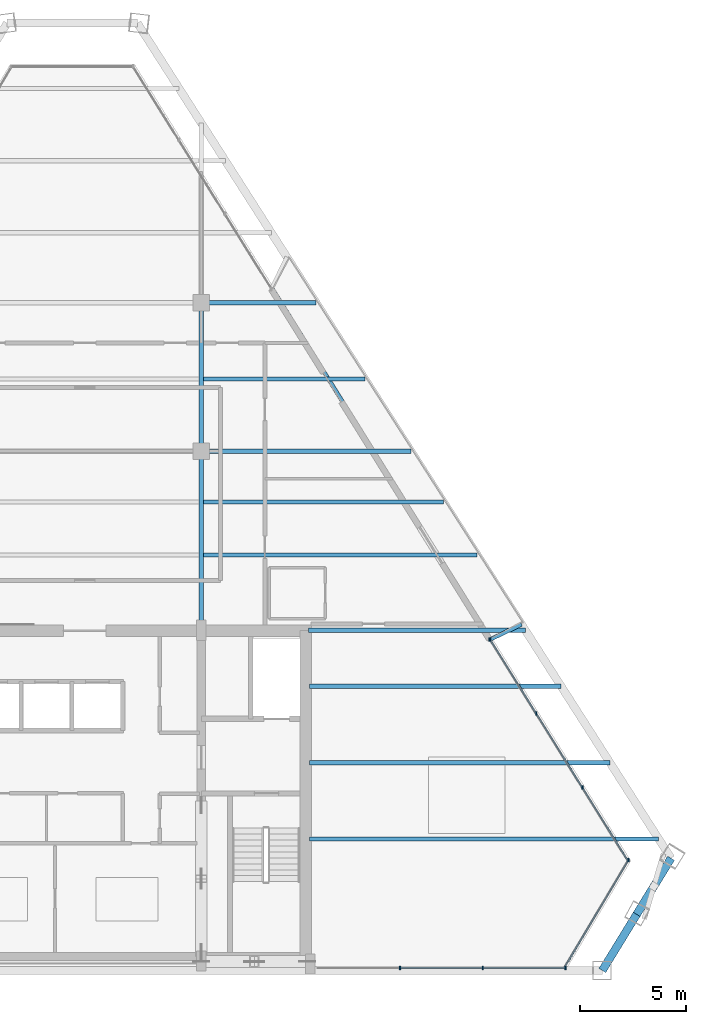
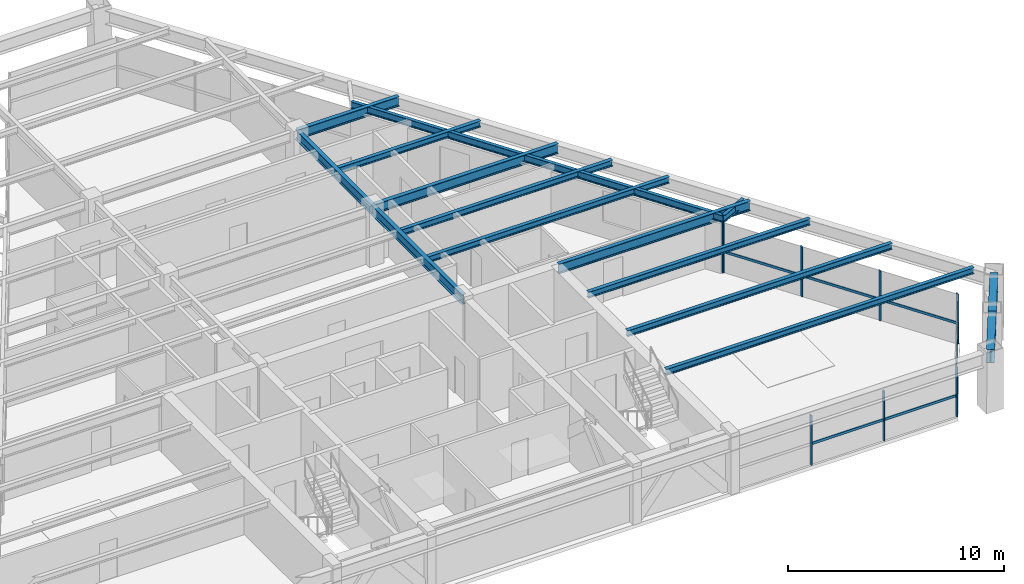
# One storey, part 4 of 12: 15 beams, 14 members, 3 elements without a shape of their own.
"""IFC4 building model written with IfcOpenShell, lengths in metres."""

from ifc_helpers import new_model, si_unit, direction, frame, origin, origin_2d, place, context, subcontext, project, spatial, rectangle, i_section, extrude, source, transform, mapped, material, material_profile, profile_set, type_object, type_shapes, element, aggregate, save


model = new_model("IFC4")

# Units and contexts
model_context = context("Model", 3, precision=1e-05, world=origin(), true_north=direction((0.0, 1.0)))
body_context = subcontext(model_context, "Body", "Model", "MODEL_VIEW")
ifc_project = project(units=[si_unit("LENGTHUNIT", "METRE"), si_unit("AREAUNIT", "SQUARE_METRE"), si_unit("VOLUMEUNIT", "CUBIC_METRE"), si_unit("PLANEANGLEUNIT", "RADIAN"), si_unit("MASSUNIT", "GRAM", prefix="KILO")], contexts=[model_context])

# Site, building, storey
site_placement = place(None, origin())
site = spatial("IfcSite", under=ifc_project, at=site_placement, CompositionType="ELEMENT")
building_placement = place(site_placement, origin())
building = spatial("IfcBuilding", under=site, at=building_placement, Name="Varnakhor Terracotta Tower", CompositionType="ELEMENT")
storey_placement = place(building_placement, frame((0.0, 0.0, 226.89990234375)))
storey = spatial("IfcBuildingStorey", under=building, at=storey_placement, Name="L58", CompositionType="ELEMENT", Elevation=226.89990234375)

# Beams
ifc_material_1 = material(Name="Steel S355", Category="steel")
ifc_material_profile_1 = material_profile(ifc_material_1, i_section(OverallWidth=0.214111328125, OverallDepth=0.549072265625, WebThickness=0.014892578125, FlangeThickness=0.02392578125, FilletRadius=0.01806640625, at=origin_2d()), Name="W21X93")
ifc_profile_set_1 = profile_set([ifc_material_profile_1], Name="Steel S355")
beam_type_1 = type_object("IfcBeamType", Name="BM-W21X93", PredefinedType="BEAM", material=ifc_profile_set_1)
shared_shape_1 = source(origin(), body_context, "Body", "SweptSolid", [
    extrude(i_section(OverallWidth=0.214111328125, OverallDepth=0.549072265625, WebThickness=0.014892578125, FlangeThickness=0.02392578125, FilletRadius=0.01806640625, at=origin_2d()), origin(), (0.0, 0.0, 1.0), 8.449951171875),
])
type_shapes(beam_type_1, [shared_shape_1])
beam_1_placement = place(storey_placement, frame((5.5, 16.050048828125, 2.965576171875), z_axis=(0.0, 1.0, 0.0), x_axis=(-1.0, 0.0, 0.0)))
element("IfcBeam", 1, at=beam_1_placement, inside=storey, type_object=beam_type_1, Name="L58 Primary Girder NS1-E", PredefinedType="BEAM", context=body_context, shape_type="MappedRepresentation", body=[
    mapped(shared_shape_1, transform((0.0, 0.0, 0.0), scale=1.0)),
])
shared_shape_2 = source(origin(), body_context, "Body", "SweptSolid", [
    extrude(i_section(OverallWidth=0.214111328125, OverallDepth=0.549072265625, WebThickness=0.014892578125, FlangeThickness=0.02392578125, FilletRadius=0.01806640625, at=origin_2d()), origin(), (0.0, 0.0, 1.0), 7.0),
])
beam_2_placement = place(storey_placement, frame((5.5, 24.5, 2.965576171875), z_axis=(0.0, 1.0, 0.0), x_axis=(-1.0, 0.0, 0.0)))
element("IfcBeam", 2, at=beam_2_placement, inside=storey, type_object=beam_type_1, Name="L58 Primary Girder NS2-E", PredefinedType="BEAM", context=body_context, shape_type="MappedRepresentation", body=[
    mapped(shared_shape_2, transform((0.0, 0.0, 0.0), scale=1.0)),
])
ifc_material_profile_2 = material_profile(ifc_material_1, i_section(OverallWidth=0.381103515625, OverallDepth=0.77294921875, WebThickness=0.01708984375, FlangeThickness=0.027099609375, FilletRadius=0.01806640625, at=origin_2d()), Name="W30X173")
ifc_profile_set_2 = profile_set([ifc_material_profile_2], Name="Steel S355")
beam_type_2 = type_object("IfcBeamType", Name="BM-W30X173", PredefinedType="BEAM", material=ifc_profile_set_2)
shared_shape_3 = source(origin(), body_context, "Body", "SweptSolid", [
    extrude(i_section(OverallWidth=0.381103515625, OverallDepth=0.77294921875, WebThickness=0.01708984375, FlangeThickness=0.027099609375, FilletRadius=0.01806640625, at=origin_2d()), origin(), (0.0, 0.0, 1.0), 3.102783203125),
])
for number, where, z_axis, x_axis, name in (
    (3, (24.417236328125, 0.0, 2.853515625), (0.52253807171, 0.852615953178, 0.0), (-0.852615953178, 0.52253807171, 0.0), "L58 Perimeter Spandrel 2"),
    (4, (26.03857421875, 2.6455078125, 2.853515625), (0.522480868797, 0.852651008175, 0.0), (-0.852651008175, 0.522480868797, 0.0), "L58 Perimeter Spandrel 3"),
):
    element("IfcBeam", number, at=place(storey_placement, frame(where, z_axis=z_axis, x_axis=x_axis)), inside=storey, type_object=beam_type_2, Name=name, PredefinedType="BEAM", context=body_context, shape_type="MappedRepresentation", body=[
        mapped(shared_shape_3, transform((0.0, 0.0, 0.0), scale=1.0)),
    ])
ifc_material_profile_3 = material_profile(ifc_material_1, i_section(OverallWidth=0.179931640625, OverallDepth=0.39990234375, WebThickness=0.008544921875, FlangeThickness=0.013427734375, FilletRadius=0.01806640625, at=origin_2d()), Name="IPE400")
ifc_profile_set_3 = profile_set([ifc_material_profile_3], Name="Steel S355")
beam_type_3 = type_object("IfcBeamType", Name="JST-IPE400", PredefinedType="JOIST", material=ifc_profile_set_3)
shared_shape_4 = source(origin(), body_context, "Body", "SweptSolid", [
    extrude(i_section(OverallWidth=0.179931640625, OverallDepth=0.39990234375, WebThickness=0.008544921875, FlangeThickness=0.013427734375, FilletRadius=0.01806640625, at=origin_2d()), origin(), (0.0, 0.0, 1.0), 19.52685546875),
])
beam_3_placement = place(storey_placement, frame((19.134521484375, 15.614990234375, 3.0400390625), z_axis=(-0.527896829345, 0.849308505531, 0.0), x_axis=(-0.849308505531, -0.527896829345, 0.0)))
element("IfcBeam", 5, at=beam_3_placement, inside=storey, type_object=beam_type_3, Name="L58 Loggia Edge Beam 1", PredefinedType="JOIST", context=body_context, shape_type="MappedRepresentation", body=[
    mapped(shared_shape_4, transform((0.0, 0.0, 0.0), scale=1.0)),
])
shared_shape_5 = source(origin(), body_context, "Body", "SweptSolid", [
    extrude(i_section(OverallWidth=0.214111328125, OverallDepth=0.549072265625, WebThickness=0.014892578125, FlangeThickness=0.02392578125, FilletRadius=0.01806640625, at=origin_2d()), origin(), (0.0, 0.0, 1.0), 10.23486328125),
])
beam_4_placement = place(storey_placement, frame((10.550048828125, 16.050048828125, 2.965576171875), z_axis=(1.0, 0.0, 0.0), x_axis=(0.0, 1.0, 0.0)))
element("IfcBeam", 6, at=beam_4_placement, inside=storey, type_object=beam_type_1, Name="L58 Wing Girder E", PredefinedType="BEAM", context=body_context, shape_type="MappedRepresentation", body=[
    mapped(shared_shape_5, transform((0.0, 0.0, 0.0), scale=1.0)),
])
shared_shape_6 = source(origin(), body_context, "Body", "SweptSolid", [
    extrude(i_section(OverallWidth=0.214111328125, OverallDepth=0.549072265625, WebThickness=0.014892578125, FlangeThickness=0.02392578125, FilletRadius=0.01806640625, at=origin_2d()), origin(), (0.0, 0.0, 1.0), 9.88525390625),
])
beam_5_placement = place(storey_placement, frame((5.5, 24.5, 2.965576171875), z_axis=(1.0, 0.0, 0.0), x_axis=(0.0, 1.0, 0.0)))
element("IfcBeam", 7, at=beam_5_placement, inside=storey, type_object=beam_type_1, Name="L58 Primary Girder EW2-3", PredefinedType="BEAM", context=body_context, shape_type="MappedRepresentation", body=[
    mapped(shared_shape_6, transform((0.0, 0.0, 0.0), scale=1.0)),
])
shared_shape_7 = source(origin(), body_context, "Body", "SweptSolid", [
    extrude(i_section(OverallWidth=0.214111328125, OverallDepth=0.549072265625, WebThickness=0.014892578125, FlangeThickness=0.02392578125, FilletRadius=0.01806640625, at=origin_2d()), origin(), (0.0, 0.0, 1.0), 5.412353515625),
])
beam_6_placement = place(storey_placement, frame((5.5, 31.5, 2.965576171875), z_axis=(1.0, 0.0, 0.0), x_axis=(0.0, 1.0, 0.0)))
element("IfcBeam", 8, at=beam_6_placement, inside=storey, type_object=beam_type_1, Name="L58 Primary Girder EW3-3", PredefinedType="BEAM", context=body_context, shape_type="MappedRepresentation", body=[
    mapped(shared_shape_7, transform((0.0, 0.0, 0.0), scale=1.0)),
])
ifc_material_profile_4 = material_profile(ifc_material_1, i_section(OverallWidth=0.202880859375, OverallDepth=0.346923828125, WebThickness=0.0078125, FlangeThickness=0.013427734375, FilletRadius=0.01806640625, at=origin_2d()), Name="W14X43")
ifc_profile_set_4 = profile_set([ifc_material_profile_4], Name="Steel S355")
beam_type_4 = type_object("IfcBeamType", Name="JST-W14X43", PredefinedType="JOIST", material=ifc_profile_set_4)
shared_shape_8 = source(origin(), body_context, "Body", "SweptSolid", [
    extrude(i_section(OverallWidth=0.202880859375, OverallDepth=0.346923828125, WebThickness=0.0078125, FlangeThickness=0.013427734375, FilletRadius=0.01806640625, at=origin_2d()), origin(), (0.0, 0.0, 1.0), 16.478759765625),
])
beam_7_placement = place(storey_placement, frame((10.60009765625, 6.199951171875, 3.066650390625), z_axis=(1.0, 0.0, 0.0), x_axis=(0.0, 1.0, 0.0)))
element("IfcBeam", 9, at=beam_7_placement, inside=storey, type_object=beam_type_4, Name="L58 Floor Joist E1", PredefinedType="JOIST", context=body_context, shape_type="MappedRepresentation", body=[
    mapped(shared_shape_8, transform((0.0, 0.0, 0.0), scale=1.0)),
])
shared_shape_9 = source(origin(), body_context, "Body", "SweptSolid", [
    extrude(i_section(OverallWidth=0.202880859375, OverallDepth=0.346923828125, WebThickness=0.0078125, FlangeThickness=0.013427734375, FilletRadius=0.01806640625, at=origin_2d()), origin(), (0.0, 0.0, 1.0), 14.178466796875),
])
beam_8_placement = place(storey_placement, frame((10.60009765625, 9.800048828125, 3.066650390625), z_axis=(1.0, 0.0, 0.0), x_axis=(0.0, 1.0, 0.0)))
element("IfcBeam", 10, at=beam_8_placement, inside=storey, type_object=beam_type_4, Name="L58 Floor Joist E2", PredefinedType="JOIST", context=body_context, shape_type="MappedRepresentation", body=[
    mapped(shared_shape_9, transform((0.0, 0.0, 0.0), scale=1.0)),
])
shared_shape_10 = source(origin(), body_context, "Body", "SweptSolid", [
    extrude(i_section(OverallWidth=0.202880859375, OverallDepth=0.346923828125, WebThickness=0.0078125, FlangeThickness=0.013427734375, FilletRadius=0.01806640625, at=origin_2d()), origin(), (0.0, 0.0, 1.0), 11.8779296875),
])
beam_9_placement = place(storey_placement, frame((10.60009765625, 13.39990234375, 3.066650390625), z_axis=(1.0, 0.0, 0.0), x_axis=(0.0, 1.0, 0.0)))
element("IfcBeam", 11, at=beam_9_placement, inside=storey, type_object=beam_type_4, Name="L58 Floor Joist E3", PredefinedType="JOIST", context=body_context, shape_type="MappedRepresentation", body=[
    mapped(shared_shape_10, transform((0.0, 0.0, 0.0), scale=1.0)),
])
shared_shape_11 = source(origin(), body_context, "Body", "SweptSolid", [
    extrude(i_section(OverallWidth=0.202880859375, OverallDepth=0.346923828125, WebThickness=0.0078125, FlangeThickness=0.013427734375, FilletRadius=0.01806640625, at=origin_2d()), origin(), (0.0, 0.0, 1.0), 12.913330078125),
])
beam_10_placement = place(storey_placement, frame((5.60302734375, 19.60009765625, 3.066650390625), z_axis=(1.0, 0.0, 0.0), x_axis=(0.0, 1.0, 0.0)))
element("IfcBeam", 12, at=beam_10_placement, inside=storey, type_object=beam_type_4, Name="L58 Composite Floor Joist 4-3", PredefinedType="JOIST", context=body_context, shape_type="MappedRepresentation", body=[
    mapped(shared_shape_11, transform((0.0, 0.0, 0.0), scale=1.0)),
])
shared_shape_12 = source(origin(), body_context, "Body", "SweptSolid", [
    extrude(i_section(OverallWidth=0.202880859375, OverallDepth=0.346923828125, WebThickness=0.0078125, FlangeThickness=0.013427734375, FilletRadius=0.01806640625, at=origin_2d()), origin(), (0.0, 0.0, 1.0), 11.31591796875),
])
beam_11_placement = place(storey_placement, frame((5.60302734375, 22.10009765625, 3.066650390625), z_axis=(1.0, 0.0, 0.0), x_axis=(0.0, 1.0, 0.0)))
element("IfcBeam", 13, at=beam_11_placement, inside=storey, type_object=beam_type_4, Name="L58 Composite Floor Joist 5-3", PredefinedType="JOIST", context=body_context, shape_type="MappedRepresentation", body=[
    mapped(shared_shape_12, transform((0.0, 0.0, 0.0), scale=1.0)),
])
shared_shape_13 = source(origin(), body_context, "Body", "SweptSolid", [
    extrude(i_section(OverallWidth=0.202880859375, OverallDepth=0.346923828125, WebThickness=0.0078125, FlangeThickness=0.013427734375, FilletRadius=0.01806640625, at=origin_2d()), origin(), (0.0, 0.0, 1.0), 7.60986328125),
])
beam_12_placement = place(storey_placement, frame((5.60302734375, 27.89990234375, 3.066650390625), z_axis=(1.0, 0.0, 0.0), x_axis=(0.0, 1.0, 0.0)))
element("IfcBeam", 14, at=beam_12_placement, inside=storey, type_object=beam_type_4, Name="L58 Composite Floor Joist 6-3", PredefinedType="JOIST", context=body_context, shape_type="MappedRepresentation", body=[
    mapped(shared_shape_13, transform((0.0, 0.0, 0.0), scale=1.0)),
])
shared_shape_14 = source(origin(), body_context, "Body", "SweptSolid", [
    extrude(i_section(OverallWidth=0.179931640625, OverallDepth=0.39990234375, WebThickness=0.008544921875, FlangeThickness=0.013427734375, FilletRadius=0.01806640625, at=origin_2d()), origin(), (0.0, 0.0, 1.0), 1.636962890625),
])
beam_13_placement = place(storey_placement, frame((19.134521484375, 15.614990234375, 3.0400390625), z_axis=(0.90170218124, 0.432357694908, 0.0), x_axis=(-0.432357694908, 0.90170218124, 0.0)))
element("IfcBeam", 15, at=beam_13_placement, inside=storey, type_object=beam_type_3, Name="L59 E Loggia Tie Beam 2", PredefinedType="JOIST", context=body_context, shape_type="MappedRepresentation", body=[
    mapped(shared_shape_14, transform((0.0, 0.0, 0.0), scale=1.0)),
])

# Curtain wall, members
ifc_material_2 = material(Name="Anodised Aluminium Curtain Wall System", Category="aluminium")
curtain_wall_type = type_object("IfcCurtainWallType", Name="CW-SYS-HOTEL-LOGGIA", PredefinedType="NOTDEFINED", material=ifc_material_2)
curtain_wall_1_placement = place(storey_placement, origin())
curtain_wall_1 = element("IfcCurtainWall", 16, at=curtain_wall_1_placement, inside=storey, type_object=curtain_wall_type, Name="L58 E Facet Curtain Wall 2", PredefinedType="NOTDEFINED")
ifc_material_3 = material(Name="Anodised Aluminium 6063-T6", Category="aluminium")
ifc_material_profile_5 = material_profile(ifc_material_3, rectangle(XDim=0.06494140625, YDim=0.159912109375, at=origin_2d()), Name="ALU MULLION 65x160")
ifc_profile_set_5 = profile_set([ifc_material_profile_5], Name="Anodised Aluminium 6063-T6")
member_type_1 = type_object("IfcMemberType", Name="CWM-04", PredefinedType="MULLION", material=ifc_profile_set_5)
shared_shape_15 = source(origin(), body_context, "Body", "SweptSolid", [
    extrude(rectangle(XDim=0.06494140625, YDim=0.159912109375, at=origin_2d()), origin(), (0.0, 0.0, 1.0), 2.820068359375),
])
type_shapes(member_type_1, [shared_shape_15])
member_1_placement = place(storey_placement, frame((19.128173828125, 15.603759765625, 0.0), z_axis=(0.0, 0.0, 1.0), x_axis=(1.0, 0.0, 0.0)))
member_1 = element("IfcMember", 17, at=member_1_placement, type_object=member_type_1, Name="L58 E Facet Curtain Wall 2 Mullion 1", PredefinedType="MULLION", context=body_context, shape_type="MappedRepresentation", body=[
    mapped(shared_shape_15, transform((0.0, 0.0, 0.0), scale=1.0)),
])
member_2_placement = place(storey_placement, frame((21.302734375, 12.11376953125, 0.0), z_axis=(0.0, 0.0, 1.0), x_axis=(1.0, 0.0, 0.0)))
member_2 = element("IfcMember", 18, at=member_2_placement, type_object=member_type_1, Name="L58 E Facet Curtain Wall 2 Mullion 2", PredefinedType="MULLION", context=body_context, shape_type="MappedRepresentation", body=[
    mapped(shared_shape_15, transform((0.0, 0.0, 0.0), scale=1.0)),
])
member_3_placement = place(storey_placement, frame((23.477294921875, 8.623779296875, 0.0), z_axis=(0.0, 0.0, 1.0), x_axis=(1.0, 0.0, 0.0)))
member_3 = element("IfcMember", 19, at=member_3_placement, type_object=member_type_1, Name="L58 E Facet Curtain Wall 2 Mullion 3", PredefinedType="MULLION", context=body_context, shape_type="MappedRepresentation", body=[
    mapped(shared_shape_15, transform((0.0, 0.0, 0.0), scale=1.0)),
])
member_4_placement = place(storey_placement, frame((19.09521484375, 15.61865234375, 0.0), z_axis=(0.0, 0.0, 1.0), x_axis=(1.0, 0.0, 0.0)))
member_4 = element("IfcMember", 20, at=member_4_placement, type_object=member_type_1, Name="L58 E Loggia Jamb Closure Mullion 2", PredefinedType="MULLION", context=body_context, shape_type="MappedRepresentation", body=[
    mapped(shared_shape_15, transform((0.0, 0.0, 0.0), scale=1.0)),
])

# Curtain wall, member
curtain_wall_2_placement = place(storey_placement, origin())
curtain_wall_2 = element("IfcCurtainWall", 21, at=curtain_wall_2_placement, inside=storey, type_object=curtain_wall_type, Name="L58 Facet Curtain Wall 4", PredefinedType="NOTDEFINED")
member_5_placement = place(storey_placement, frame((25.6513671875, 5.20751953125, 0.0), z_axis=(0.0, 0.0, 1.0), x_axis=(1.0, 0.0, 0.0)))
member_5 = element("IfcMember", 22, at=member_5_placement, type_object=member_type_1, Name="L58 Facet Curtain Wall 4 Mullion 1", PredefinedType="MULLION", context=body_context, shape_type="MappedRepresentation", body=[
    mapped(shared_shape_15, transform((0.0, 0.0, 0.0), scale=1.0)),
])

# Curtain wall, members
curtain_wall_3_placement = place(storey_placement, origin())
curtain_wall_3 = element("IfcCurtainWall", 23, at=curtain_wall_3_placement, inside=storey, type_object=curtain_wall_type, Name="L58 South Wing Curtain Wall SSE", PredefinedType="NOTDEFINED")
member_6_placement = place(storey_placement, frame((22.677490234375, 0.1201171875, 0.0), z_axis=(0.0, 0.0, 1.0), x_axis=(1.0, 0.0, 0.0)))
member_6 = element("IfcMember", 24, at=member_6_placement, type_object=member_type_1, Name="L58 South Wing Curtain Wall SSE Mullion 1", PredefinedType="MULLION", context=body_context, shape_type="MappedRepresentation", body=[
    mapped(shared_shape_15, transform((0.0, 0.0, 0.0), scale=1.0)),
])
member_7_placement = place(storey_placement, frame((18.77490234375, 0.1201171875, 0.0), z_axis=(0.0, 0.0, 1.0), x_axis=(1.0, 0.0, 0.0)))
member_7 = element("IfcMember", 25, at=member_7_placement, type_object=member_type_1, Name="L58 South Wing Curtain Wall SSE Mullion 2", PredefinedType="MULLION", context=body_context, shape_type="MappedRepresentation", body=[
    mapped(shared_shape_15, transform((0.0, 0.0, 0.0), scale=1.0)),
])
member_8_placement = place(storey_placement, frame((14.87255859375, 0.1201171875, 0.0), z_axis=(0.0, 0.0, 1.0), x_axis=(1.0, 0.0, 0.0)))
member_8 = element("IfcMember", 26, at=member_8_placement, type_object=member_type_1, Name="L58 South Wing Curtain Wall SSE Mullion 3", PredefinedType="MULLION", context=body_context, shape_type="MappedRepresentation", body=[
    mapped(shared_shape_15, transform((0.0, 0.0, 0.0), scale=1.0)),
])
ifc_material_profile_6 = material_profile(ifc_material_3, rectangle(XDim=0.06494140625, YDim=0.14501953125, at=origin_2d()), Name="ALU TRANSOM 65x145")
ifc_profile_set_6 = profile_set([ifc_material_profile_6], Name="Anodised Aluminium 6063-T6")
member_type_2 = type_object("IfcMemberType", Name="CWT-04", PredefinedType="USERDEFINED", material=ifc_profile_set_6)
shared_shape_16 = source(origin(), body_context, "Body", "SweptSolid", [
    extrude(rectangle(XDim=0.06494140625, YDim=0.14501953125, at=origin_2d()), origin(), (0.0, 0.0, 1.0), 3.90234375),
])
member_9_placement = place(storey_placement, frame((18.77490234375, 0.1201171875, 1.1845703125), z_axis=(-1.0, 0.0, 0.0), x_axis=(0.0, -1.0, 0.0)))
member_9 = element("IfcMember", 27, at=member_9_placement, type_object=member_type_2, Name="L58 South Wing Curtain Wall SSE Transom 2", ObjectType="TRANSOM", PredefinedType="USERDEFINED", context=body_context, shape_type="MappedRepresentation", body=[
    mapped(shared_shape_16, transform((0.0, 0.0, 0.0), scale=1.0)),
])

# Member
shared_shape_17 = source(origin(), body_context, "Body", "SweptSolid", [
    extrude(rectangle(XDim=0.06494140625, YDim=0.14501953125, at=origin_2d()), origin(), (0.0, 0.0, 1.0), 4.112060546875),
])
member_10_placement = place(storey_placement, frame((19.128173828125, 15.603759765625, 1.1845703125), z_axis=(0.528829668222, -0.848727978806, 0.0), x_axis=(0.848727978806, 0.528829668222, 0.0)))
member_10 = element("IfcMember", 28, at=member_10_placement, type_object=member_type_2, Name="L58 E Facet Curtain Wall 2 Transom 1", ObjectType="TRANSOM", PredefinedType="USERDEFINED", context=body_context, shape_type="MappedRepresentation", body=[
    mapped(shared_shape_17, transform((0.0, 0.0, 0.0), scale=1.0)),
])

member_11_placement = place(storey_placement, frame((21.302734375, 12.11376953125, 1.1845703125), z_axis=(0.528829668222, -0.848727978806, 0.0), x_axis=(0.848727978806, 0.528829668222, 0.0)))
member_11 = element("IfcMember", 29, at=member_11_placement, type_object=member_type_2, Name="L58 E Facet Curtain Wall 2 Transom 2", ObjectType="TRANSOM", PredefinedType="USERDEFINED", context=body_context, shape_type="MappedRepresentation", body=[
    mapped(shared_shape_17, transform((0.0, 0.0, 0.0), scale=1.0)),
])

member_12_placement = place(storey_placement, frame((23.477294921875, 8.623779296875, 1.1845703125), z_axis=(0.528872434449, -0.848701330316, 0.0), x_axis=(0.848701330316, 0.528872434449, 0.0)))
member_12 = element("IfcMember", 30, at=member_12_placement, type_object=member_type_2, Name="L58 E Facet Curtain Wall 2 Transom 3", ObjectType="TRANSOM", PredefinedType="USERDEFINED", context=body_context, shape_type="MappedRepresentation", body=[
    mapped(shared_shape_17, transform((0.0, 0.0, 0.0), scale=1.0)),
])

aggregate(curtain_wall_1, [member_1, member_10, member_2, member_11, member_3, member_12, member_4])

shared_shape_18 = source(origin(), body_context, "Body", "SweptSolid", [
    extrude(rectangle(XDim=0.06494140625, YDim=0.14501953125, at=origin_2d()), origin(), (0.0, 0.0, 1.0), 5.9609375),
])
member_13_placement = place(storey_placement, frame((25.6513671875, 5.20751953125, 1.1845703125), z_axis=(-0.511969817104, -0.859003437929, 0.0), x_axis=(0.859003437929, -0.511969817104, 0.0)))
member_13 = element("IfcMember", 31, at=member_13_placement, type_object=member_type_2, Name="L58 Facet Curtain Wall 4 Transom 1", ObjectType="TRANSOM", PredefinedType="USERDEFINED", context=body_context, shape_type="MappedRepresentation", body=[
    mapped(shared_shape_18, transform((0.0, 0.0, 0.0), scale=1.0)),
])

aggregate(curtain_wall_2, [member_5, member_13])

shared_shape_19 = source(origin(), body_context, "Body", "SweptSolid", [
    extrude(rectangle(XDim=0.06494140625, YDim=0.14501953125, at=origin_2d()), origin(), (0.0, 0.0, 1.0), 3.902587890625),
])
member_14_placement = place(storey_placement, frame((22.677490234375, 0.1201171875, 1.1845703125), z_axis=(-1.0, 0.0, 0.0), x_axis=(0.0, -1.0, 0.0)))
member_14 = element("IfcMember", 32, at=member_14_placement, type_object=member_type_2, Name="L58 South Wing Curtain Wall SSE Transom 1", ObjectType="TRANSOM", PredefinedType="USERDEFINED", context=body_context, shape_type="MappedRepresentation", body=[
    mapped(shared_shape_19, transform((0.0, 0.0, 0.0), scale=1.0)),
])

aggregate(curtain_wall_3, [member_6, member_14, member_7, member_9, member_8])

save(model, "model.ifc")
